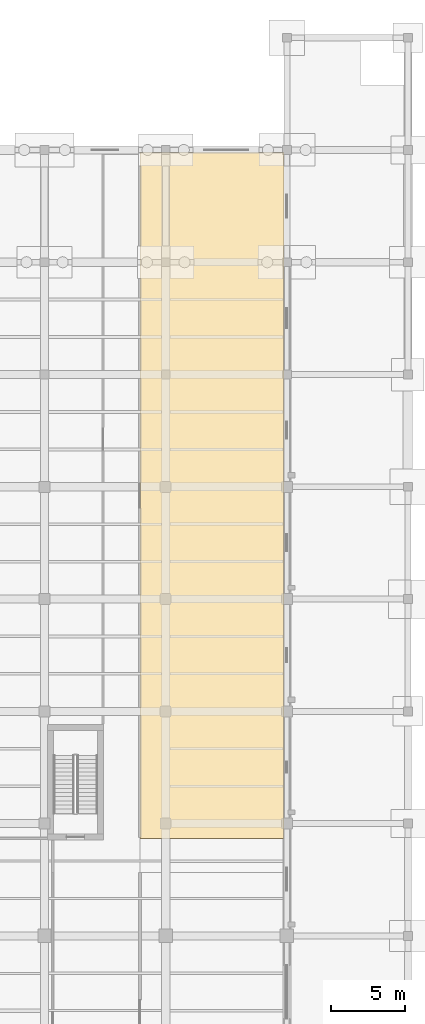
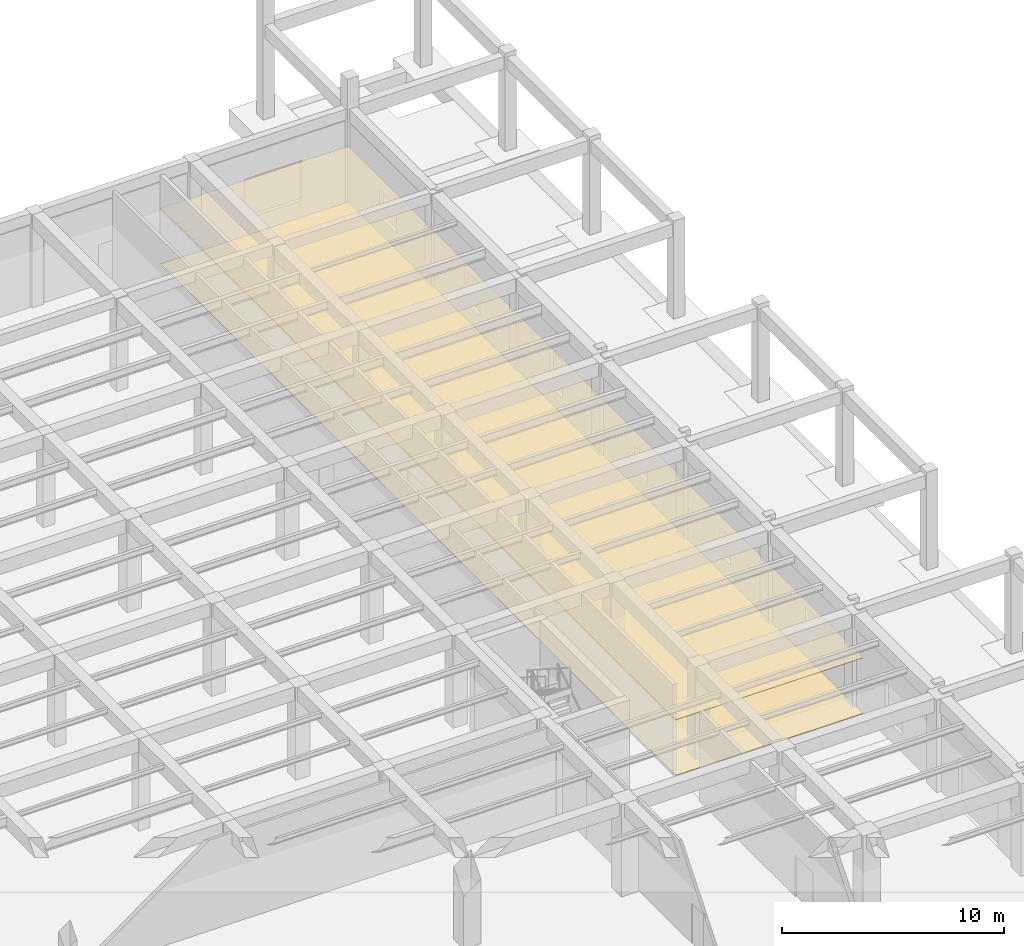
# One storey, part 63 of 64: 2 coverings.
"""IFC4 building model written with IfcOpenShell, lengths in metres."""

from ifc_helpers import new_model, si_unit, direction, frame, origin, place, context, subcontext, project, spatial, polyline, outline, extrude, material, layer, layer_set, type_object, element, save


model = new_model("IFC4")

# Units and contexts
model_context = context("Model", 3, precision=1e-05, world=origin(), true_north=direction((0.0, 1.0)))
body_context = subcontext(model_context, "Body", "Model", "MODEL_VIEW")
ifc_project = project(units=[si_unit("LENGTHUNIT", "METRE"), si_unit("AREAUNIT", "SQUARE_METRE"), si_unit("VOLUMEUNIT", "CUBIC_METRE"), si_unit("PLANEANGLEUNIT", "RADIAN"), si_unit("MASSUNIT", "GRAM", prefix="KILO")], contexts=[model_context])

# Site, building, storey
site_placement = place(None, origin())
site = spatial("IfcSite", under=ifc_project, at=site_placement, CompositionType="ELEMENT")
building_placement = place(site_placement, origin())
building = spatial("IfcBuilding", under=site, at=building_placement, Name="Qandaris Square Conservatory and Botanical Centre", CompositionType="ELEMENT")
storey_placement = place(building_placement, origin())
storey = spatial("IfcBuildingStorey", under=building, at=storey_placement, Name="L00", CompositionType="ELEMENT", Elevation=0.0)

# Coverings
ifc_material_1 = material(Name="Gypsum Plasterboard", Category="gypsum")
ifc_layer_1 = layer(ifc_material_1, 0.02490234375)
ifc_layer_set_1 = layer_set([ifc_layer_1], Name="Gypsum Plasterboard")
covering_type_1 = type_object("IfcCoveringType", Name="Perforated Acoustic Lab Ceiling Tile", PredefinedType="CEILING", material=ifc_layer_set_1)
covering_1_placement = place(storey_placement, frame((0.0, 0.0, 3.050048828125)))
element("IfcCovering", 1, at=covering_1_placement, inside=storey, type_object=covering_type_1, Name="Herbarium Specimen Drying Workshop Ceiling", PredefinedType="CEILING", context=body_context, shape_type="SweptSolid", body=[
    extrude(outline(polyline([(153.85009765625, 68.800048828125), (153.85009765625, 68.85009765625), (153.85009765625, 115.10009765625), (153.85009765625, 115.219970703125), (163.6201171875, 115.219970703125), (163.6201171875, 68.800048828125), (153.85009765625, 68.800048828125)])), origin(), (0.0, 0.0, 1.0), 0.02490234375),
])
ifc_material_2 = material(Name="Epoxy Resin Screed", Category="finish")
ifc_layer_2 = layer(ifc_material_2, 0.014892578125)
ifc_layer_set_2 = layer_set([ifc_layer_2], Name="Epoxy Resin Screed")
covering_type_2 = type_object("IfcCoveringType", Name="Seamless Epoxy Laboratory Flooring", PredefinedType="FLOORING", material=ifc_layer_set_2)
covering_2_placement = place(storey_placement, origin())
element("IfcCovering", 2, at=covering_2_placement, inside=storey, type_object=covering_type_2, Name="Herbarium Specimen Drying Workshop Flooring", PredefinedType="FLOORING", context=body_context, shape_type="SweptSolid", body=[
    extrude(outline(polyline([(153.85009765625, 68.800048828125), (153.85009765625, 68.85009765625), (153.85009765625, 115.10009765625), (153.85009765625, 115.219970703125), (163.6201171875, 115.219970703125), (163.6201171875, 68.800048828125), (153.85009765625, 68.800048828125)])), origin(), (0.0, 0.0, 1.0), 0.014892578125),
])

save(model, "model.ifc")
